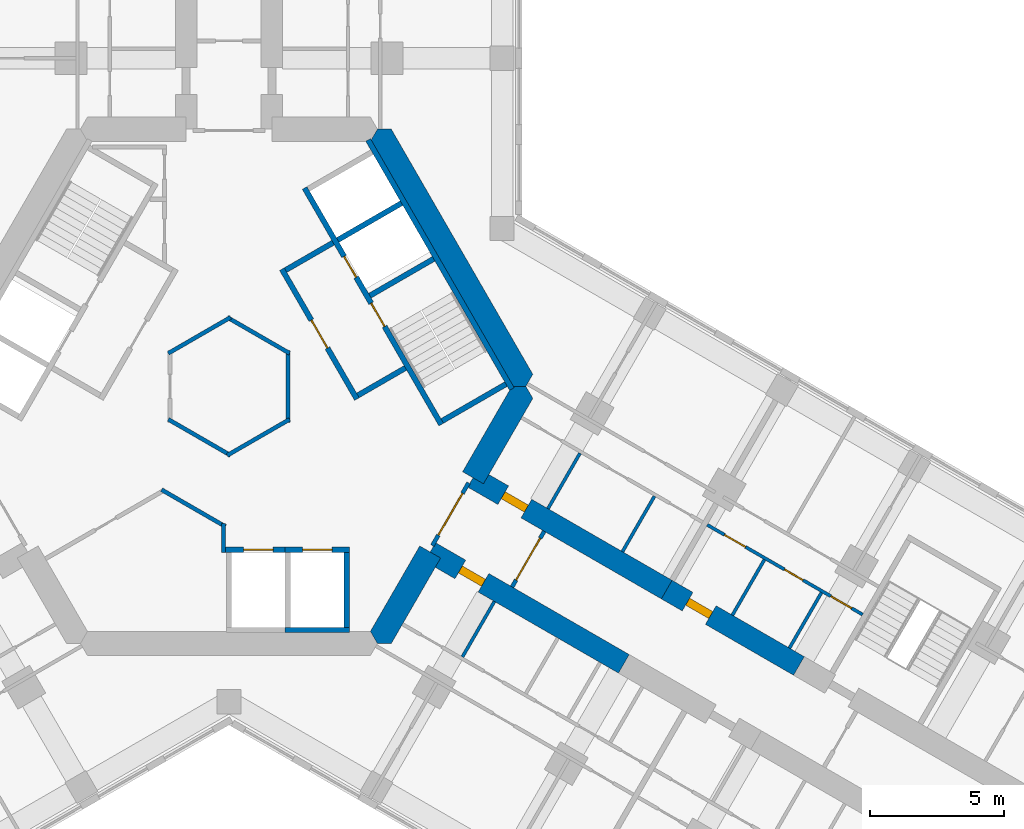
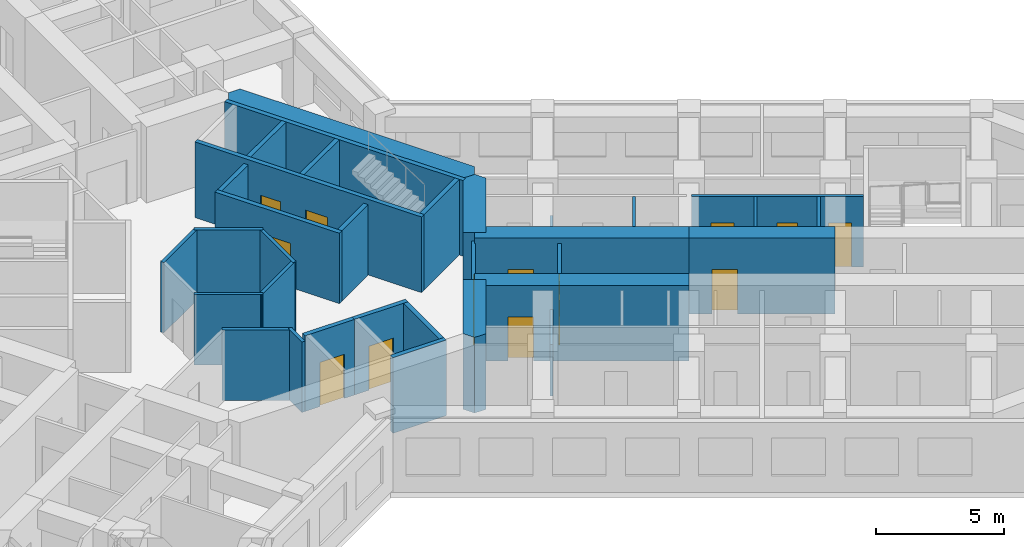
# One storey, part 15 of 20: 33 walls, 13 doors, 13 openings.
"""IFC4 building model written with IfcOpenShell, lengths in metres."""

from ifc_helpers import new_model, si_unit, direction, frame, frame_2d, origin, place, context, subcontext, project, spatial, polyline, rectangle, outline, extrude, material, layer, layer_set, type_object, element, fill, save


model = new_model("IFC4")

# Units and contexts
model_context = context("Model", 3, precision=1e-05, world=origin(), true_north=direction((0.0, 1.0)))
body_context = subcontext(model_context, "Body", "Model", "MODEL_VIEW")
ifc_project = project(units=[si_unit("LENGTHUNIT", "METRE"), si_unit("AREAUNIT", "SQUARE_METRE"), si_unit("VOLUMEUNIT", "CUBIC_METRE"), si_unit("PLANEANGLEUNIT", "RADIAN"), si_unit("MASSUNIT", "GRAM", prefix="KILO")], contexts=[model_context])

# Site, building, storey
site_placement = place(None, origin())
site = spatial("IfcSite", under=ifc_project, at=site_placement, CompositionType="ELEMENT")
building_placement = place(site_placement, origin())
building = spatial("IfcBuilding", under=site, at=building_placement, Name="Kosmar Iwan School Tower", CompositionType="ELEMENT")
storey_placement = place(building_placement, frame((0.0, 0.0, 131.0)))
storey = spatial("IfcBuildingStorey", under=building, at=storey_placement, Name="L32", CompositionType="ELEMENT", Elevation=131.0)

# Walls
ifc_material_1 = material(Name="Gypsum board on steel studs, fire-rated", Category="steel")
ifc_layer_1 = layer(ifc_material_1, 0.14990234375)
ifc_layer_set_1 = layer_set([ifc_layer_1], Name="Core room partition 150")
wall_type_1 = type_object("IfcWallType", Name="Core room partition 150", PredefinedType="PARTITIONING", material=ifc_layer_set_1)
wall_1_placement = place(storey_placement, frame((-2.514892578125, -3.859619140625, 0.0), z_axis=(0.0, 0.0, 1.0), x_axis=(0.866025804792, -0.499999305434, 0.0)))
element("IfcWall", 1, at=wall_1_placement, inside=storey, type_object=wall_type_1, Name="Core room partition L32-CW6", PredefinedType="PARTITIONING", context=body_context, shape_type="SweptSolid", body=[
    extrude(rectangle(XDim=2.748046875, YDim=0.14990234375, at=frame_2d((1.3740234375, 0.0))), origin(), (0.0, 0.0, 1.0), 3.35009765625),
])
wall_2_placement = place(storey_placement, frame((-0.199951171875, -5.12109375, 0.0), z_axis=(0.0, 0.0, 1.0), x_axis=(0.0, -1.0, 0.0)))
element("IfcWall", 2, at=wall_2_placement, inside=storey, type_object=wall_type_1, Name="Core room partition L32-CW7", PredefinedType="PARTITIONING", context=body_context, shape_type="SweptSolid", body=[
    extrude(rectangle(XDim=1.078857421875, YDim=0.14990234375, at=frame_2d((0.53955078125, 0.0))), origin(), (0.0, 0.0, 1.0), 3.35009765625),
])
for number, where, z_axis, x_axis, name in (
    (3, (2.264892578125, -1.232666015625, 0.0), (0.0, 0.0, 1.0), (-0.866011792348, -0.500023574959, 0.0), "Core room partition L32-CW8"),
    (4, (0.06494140625, -2.577880859375, 0.0), (0.0, 0.0, 1.0), (-0.866011792348, 0.500023574959, 0.0), "Core room partition L32-CW9"),
    (5, (-2.264892578125, 1.232666015625, 0.0), (0.0, 0.0, 1.0), (0.866011792348, 0.500023574959, 0.0), "Core room partition L32-CW11"),
    (6, (-0.06494140625, 2.577880859375, 0.0), (0.0, 0.0, 1.0), (0.866011792348, -0.500023574959, 0.0), "Core room partition L32-CW12"),
):
    element("IfcWall", number, at=place(storey_placement, frame(where, z_axis=z_axis, x_axis=x_axis)), inside=storey, type_object=wall_type_1, Name=name, PredefinedType="PARTITIONING", context=body_context, shape_type="SweptSolid", body=[
        extrude(rectangle(XDim=2.690185546875, YDim=0.14990234375, at=frame_2d((1.34521484375, 0.0))), origin(), (0.0, 0.0, 1.0), 3.35009765625),
    ])
wall_3_placement = place(storey_placement, frame((2.199951171875, 1.34521484375, 0.0), z_axis=(0.0, 0.0, 1.0), x_axis=(0.0, -1.0, 0.0)))
element("IfcWall", 7, at=wall_3_placement, inside=storey, type_object=wall_type_1, Name="Core room partition L32-CW13", PredefinedType="PARTITIONING", context=body_context, shape_type="SweptSolid", body=[
    extrude(rectangle(XDim=2.6904296875, YDim=0.14990234375, at=frame_2d((1.34521484375, 0.0))), origin(), (0.0, 0.0, 1.0), 3.35009765625),
])
ifc_material_2 = material(Name="Concrete C50/60", Category="concrete")
ifc_layer_2 = layer(ifc_material_2, 0.89990234375)
ifc_layer_set_2 = layer_set([ifc_layer_2], Name="Core wall 900")
wall_type_2 = type_object("IfcWallType", Name="Core wall 900", PredefinedType="SHEAR", material=ifc_layer_set_2)
wall_4_placement = place(storey_placement, origin())
element("IfcWall", 8, at=wall_4_placement, inside=storey, type_object=wall_type_2, Name="Core wall F030", PredefinedType="SHEAR", context=body_context, shape_type="SweptSolid", body=[
    extrude(outline(polyline([(10.5654296875, 0.0), (11.085205078125, 0.0), (11.344970703125, 0.449951171875), (6.062255859375, 9.60009765625), (5.54248046875, 9.60009765625), (5.28271484375, 9.14990234375), (10.5654296875, 0.0)])), origin(), (0.0, 0.0, 1.0), 3.60009765625),
])
wall_5_placement = place(storey_placement, origin())
element("IfcWall", 9, at=wall_5_placement, inside=storey, type_object=wall_type_2, Name="Core wall F330a", PredefinedType="SHEAR", context=body_context, shape_type="SweptSolid", body=[
    extrude(outline(polyline([(5.54248046875, -9.60009765625), (6.062255859375, -9.60009765625), (7.903564453125, -6.41064453125), (7.1240234375, -5.960693359375), (5.28271484375, -9.14990234375), (5.54248046875, -9.60009765625)])), origin(), (0.0, 0.0, 1.0), 3.60009765625),
])
wall_6_placement = place(storey_placement, origin())
element("IfcWall", 10, at=wall_6_placement, inside=storey, type_object=wall_type_2, Name="Core wall F330b", PredefinedType="SHEAR", context=body_context, shape_type="SweptSolid", body=[
    extrude(outline(polyline([(9.503662109375, -3.639404296875), (11.344970703125, -0.449951171875), (11.085205078125, 0.0), (10.5654296875, 0.0), (8.72412109375, -3.189453125), (9.503662109375, -3.639404296875)])), origin(), (0.0, 0.0, 1.0), 3.60009765625),
])

# Wall, opening, door
ifc_material_3 = material(Name="Concrete C50/60", Category="concrete")
ifc_layer_3 = layer(ifc_material_3, 0.800048828125)
ifc_layer_set_3 = layer_set([ifc_layer_3], Name="Corridor buttress wall 800")
wall_type_3 = type_object("IfcWallType", Name="Corridor buttress wall 800", PredefinedType="SHEAR", material=ifc_layer_set_3)
wall_7_placement = place(storey_placement, frame((9.11376953125, -3.414306640625, 0.0), z_axis=(0.0, 0.0, 1.0), x_axis=(0.866026859388, -0.499997478812, 0.0)))
wall_7 = element("IfcWall", 11, at=wall_7_placement, inside=storey, type_object=wall_type_3, Name="Corridor wall CL", PredefinedType="SHEAR", context=body_context, shape_type="SweptSolid", body=[
    extrude(rectangle(XDim=8.35009765625, YDim=0.800048828125, at=frame_2d((4.175048828125, 0.0))), origin(), (0.0, 0.0, 1.0), 3.60009765625),
])
opening_1_placement = place(wall_7_placement, frame((1.300048828125, 0.0, 0.0)))
opening_1 = element("IfcOpeningElement", 12, at=opening_1_placement, cuts=wall_7, Name="Opening D1", PredefinedType="OPENING", context=body_context, shape_type="SweptSolid", body=[
    extrude(rectangle(XDim=1.0, YDim=2.10009765625, at=frame_2d((0.5, 1.050048828125))), frame((0.0, 0.412109375, 0.0), z_axis=(0.0, -1.0, 0.0), x_axis=(1.0, 0.0, 0.0)), (0.0, 0.0, 1.0), 0.823974609375),
])
ifc_material_4 = material(Name="Timber fire door in steel frame", Category="steel")
door_type_1 = type_object("IfcDoorType", Name="Flat entrance door 1000x2100", OperationType="SINGLE_SWING_LEFT", PredefinedType="DOOR", material=ifc_material_4)
door_1_placement = place(opening_1_placement, origin())
door_1 = element("IfcDoor", 13, at=door_1_placement, inside=storey, type_object=door_type_1, Name="Flat L32-CL1 entrance door", OperationType="SINGLE_SWING_RIGHT", OverallHeight=2.10009765625, OverallWidth=1.0, PredefinedType="DOOR", context=body_context, shape_type="SweptSolid", body=[
    extrude(rectangle(XDim=1.0, YDim=2.10009765625, at=frame_2d((0.5, 1.050048828125))), frame((0.0, 0.14990234375, 0.0), z_axis=(0.0, -1.0, 0.0), x_axis=(1.0, 0.0, 0.0)), (0.0, 0.0, 1.0), 0.300048828125),
])
fill(opening_1, door_1)

wall_8_placement = place(storey_placement, frame((16.34521484375, -7.58935546875, 0.0), z_axis=(0.0, 0.0, 1.0), x_axis=(0.866015111908, -0.50001782563, 0.0)))
wall_8 = element("IfcWall", 14, at=wall_8_placement, inside=storey, type_object=wall_type_3, Name="Corridor wall CL bay 2", PredefinedType="SHEAR", context=body_context, shape_type="SweptSolid", body=[
    extrude(rectangle(XDim=5.699951171875, YDim=0.800048828125, at=frame_2d((2.85009765625, 0.0))), origin(), (0.0, 0.0, 1.0), 3.60009765625),
])
opening_2_placement = place(wall_8_placement, frame((0.89990234375, 0.0, 0.0)))
opening_2 = element("IfcOpeningElement", 15, at=opening_2_placement, cuts=wall_8, Name="Opening D1", PredefinedType="OPENING", context=body_context, shape_type="SweptSolid", body=[
    extrude(rectangle(XDim=1.0, YDim=2.10009765625, at=frame_2d((0.5, 1.050048828125))), frame((0.0, 0.412109375, 0.0), z_axis=(0.0, -1.0, 0.0), x_axis=(1.0, 0.0, 0.0)), (0.0, 0.0, 1.0), 0.823974609375),
])
door_2_placement = place(opening_2_placement, origin())
door_2 = element("IfcDoor", 16, at=door_2_placement, inside=storey, type_object=door_type_1, Name="Flat L32-CL2 entrance door", OperationType="SINGLE_SWING_RIGHT", OverallHeight=2.10009765625, OverallWidth=1.0, PredefinedType="DOOR", context=body_context, shape_type="SweptSolid", body=[
    extrude(rectangle(XDim=1.0, YDim=2.10009765625, at=frame_2d((0.5, 1.050048828125))), frame((0.0, 0.14990234375, 0.0), z_axis=(0.0, -1.0, 0.0), x_axis=(1.0, 0.0, 0.0)), (0.0, 0.0, 1.0), 0.300048828125),
])
fill(opening_2, door_2)

wall_9_placement = place(storey_placement, frame((7.513916015625, -6.185546875, 0.0), z_axis=(0.0, 0.0, 1.0), x_axis=(0.866019549707, -0.500010139422, 0.0)))
wall_9 = element("IfcWall", 17, at=wall_9_placement, inside=storey, type_object=wall_type_3, Name="Corridor wall CR", PredefinedType="SHEAR", context=body_context, shape_type="SweptSolid", body=[
    extrude(rectangle(XDim=8.349853515625, YDim=0.800048828125, at=frame_2d((4.1748046875, 0.0))), origin(), (0.0, 0.0, 1.0), 3.60009765625),
])
opening_3_placement = place(wall_9_placement, frame((1.300048828125, 0.0, 0.0)))
opening_3 = element("IfcOpeningElement", 18, at=opening_3_placement, cuts=wall_9, Name="Opening D1", PredefinedType="OPENING", context=body_context, shape_type="SweptSolid", body=[
    extrude(rectangle(XDim=1.0, YDim=2.10009765625, at=frame_2d((0.5, 1.050048828125))), frame((0.0, 0.412109375, 0.0), z_axis=(0.0, -1.0, 0.0), x_axis=(1.0, 0.0, 0.0)), (0.0, 0.0, 1.0), 0.823974609375),
])
door_3_placement = place(opening_3_placement, origin())
door_3 = element("IfcDoor", 19, at=door_3_placement, inside=storey, type_object=door_type_1, Name="Flat L32-CR1 entrance door", OperationType="SINGLE_SWING_RIGHT", OverallHeight=2.10009765625, OverallWidth=1.0, PredefinedType="DOOR", context=body_context, shape_type="SweptSolid", body=[
    extrude(rectangle(XDim=1.0, YDim=2.10009765625, at=frame_2d((0.5, 1.050048828125))), frame((0.0, 0.14990234375, 0.0), z_axis=(0.0, -1.0, 0.0), x_axis=(1.0, 0.0, 0.0)), (0.0, 0.0, 1.0), 0.300048828125),
])
fill(opening_3, door_3)

ifc_material_5 = material(Name="Gypsum board on steel studs, fire-rated", Category="steel")
ifc_layer_4 = layer(ifc_material_5, 0.14990234375)
ifc_layer_set_4 = layer_set([ifc_layer_4], Name="Corridor end wall 150")
wall_type_4 = type_object("IfcWallType", Name="Corridor end wall 150", PredefinedType="PARTITIONING", material=ifc_layer_set_4)
wall_10_placement = place(storey_placement, frame((10.57177734375, -7.4892578125, 0.0), z_axis=(0.0, 0.0, 1.0), x_axis=(0.499957262057, 0.866050077142, 0.0)))
wall_10 = element("IfcWall", 20, at=wall_10_placement, inside=storey, type_object=wall_type_4, Name="Partition L32-C-HW", PredefinedType="PARTITIONING", context=body_context, shape_type="SweptSolid", body=[
    extrude(rectangle(XDim=2.400146484375, YDim=0.14990234375, at=frame_2d((1.2001953125, 0.0))), origin(), (0.0, 0.0, 1.0), 3.35009765625),
])
opening_4_placement = place(wall_10_placement, frame((0.300048828125, 0.0, 0.0)))
opening_4 = element("IfcOpeningElement", 21, at=opening_4_placement, cuts=wall_10, Name="Opening D9", PredefinedType="OPENING", context=body_context, shape_type="SweptSolid", body=[
    extrude(rectangle(XDim=1.800048828125, YDim=2.10009765625, at=frame_2d((0.89990234375, 1.050048828125))), frame((0.0, 0.0869140625, 0.0), z_axis=(0.0, -1.0, 0.0), x_axis=(1.0, 0.0, 0.0)), (0.0, 0.0, 1.0), 0.173828125),
])
ifc_material_6 = material(Name="Steel framed glazed smoke door", Category="steel")
door_type_2 = type_object("IfcDoorType", Name="Corridor smoke door pair 1800x2100", OperationType="DOUBLE_DOOR_DOUBLE_SWING", PredefinedType="DOOR", material=ifc_material_6)
door_4_placement = place(opening_4_placement, origin())
door_4 = element("IfcDoor", 22, at=door_4_placement, inside=storey, type_object=door_type_2, Name="Hashti vestibule smoke doors L32-C", OperationType="DOUBLE_DOOR_DOUBLE_SWING", OverallHeight=2.10009765625, OverallWidth=1.800048828125, PredefinedType="DOOR", context=body_context, shape_type="SweptSolid", body=[
    extrude(rectangle(XDim=1.800048828125, YDim=2.10009765625, at=frame_2d((0.89990234375, 1.050048828125))), frame((0.0, 0.02490234375, 0.0), z_axis=(0.0, -1.0, 0.0), x_axis=(1.0, 0.0, 0.0)), (0.0, 0.0, 1.0), 0.050048828125),
])
fill(opening_4, door_4)

ifc_material_7 = material(Name="Steel framed glazed screen", Category="steel")
ifc_layer_5 = layer(ifc_material_7, 0.14990234375)
ifc_layer_set_5 = layer_set([ifc_layer_5], Name="Corridor screen wall 150")
wall_type_5 = type_object("IfcWallType", Name="Corridor screen wall 150", PredefinedType="PARTITIONING", material=ifc_layer_set_5)
wall_11_placement = place(storey_placement, frame((7.595458984375, -5.944091796875, 0.0), z_axis=(0.0, 0.0, 1.0), x_axis=(0.500048589285, 0.86599734893, 0.0)))
wall_11 = element("IfcWall", 23, at=wall_11_placement, inside=storey, type_object=wall_type_5, Name="Corridor screen C L32", PredefinedType="PARTITIONING", context=body_context, shape_type="SweptSolid", body=[
    extrude(rectangle(XDim=2.699951171875, YDim=0.14990234375, at=frame_2d((1.35009765625, 0.0))), origin(), (0.0, 0.0, 1.0), 3.35009765625),
])
opening_5_placement = place(wall_11_placement, frame((0.449951171875, 0.0, 0.0)))
opening_5 = element("IfcOpeningElement", 24, at=opening_5_placement, cuts=wall_11, Name="Opening D9", PredefinedType="OPENING", context=body_context, shape_type="SweptSolid", body=[
    extrude(rectangle(XDim=1.800048828125, YDim=2.10009765625, at=frame_2d((0.89990234375, 1.050048828125))), frame((0.0, 0.0869140625, 0.0), z_axis=(0.0, -1.0, 0.0), x_axis=(1.0, 0.0, 0.0)), (0.0, 0.0, 1.0), 0.173828125),
])
door_5_placement = place(opening_5_placement, origin())
door_5 = element("IfcDoor", 25, at=door_5_placement, inside=storey, type_object=door_type_2, Name="Corridor doors C L32", OperationType="DOUBLE_DOOR_DOUBLE_SWING", OverallHeight=2.10009765625, OverallWidth=1.800048828125, PredefinedType="DOOR", context=body_context, shape_type="SweptSolid", body=[
    extrude(rectangle(XDim=1.800048828125, YDim=2.10009765625, at=frame_2d((0.89990234375, 1.050048828125))), frame((0.0, 0.02490234375, 0.0), z_axis=(0.0, -1.0, 0.0), x_axis=(1.0, 0.0, 0.0)), (0.0, 0.0, 1.0), 0.050048828125),
])
fill(opening_5, door_5)

# Walls
ifc_material_8 = material(Name="Gypsum board on steel studs", Category="steel")
ifc_layer_6 = layer(ifc_material_8, 0.1201171875)
ifc_layer_set_6 = layer_set([ifc_layer_6], Name="Dwelling partition 120")
wall_type_6 = type_object("IfcWallType", Name="Dwelling partition 120", PredefinedType="PARTITIONING", material=ifc_layer_set_6)
wall_12_placement = place(storey_placement, frame((11.911865234375, -4.56787109375, 0.0), z_axis=(0.0, 0.0, 1.0), x_axis=(0.500017192868, 0.86601547725, 0.0)))
element("IfcWall", 26, at=wall_12_placement, inside=storey, type_object=wall_type_6, Name="Partition L32-CL1-Y1", PredefinedType="PARTITIONING", context=body_context, shape_type="SweptSolid", body=[
    extrude(rectangle(XDim=2.39013671875, YDim=0.1201171875, at=frame_2d((1.195068359375, 0.0))), origin(), (0.0, 0.0, 1.0), 2.449951171875),
])
wall_13_placement = place(storey_placement, frame((14.69189453125, -6.1728515625, 0.0), z_axis=(0.0, 0.0, 1.0), x_axis=(0.500017192868, 0.86601547725, 0.0)))
element("IfcWall", 27, at=wall_13_placement, inside=storey, type_object=wall_type_6, Name="Partition L32-CL1-Y2", PredefinedType="PARTITIONING", context=body_context, shape_type="SweptSolid", body=[
    extrude(rectangle(XDim=2.39013671875, YDim=0.1201171875, at=frame_2d((1.195068359375, 0.0))), origin(), (0.0, 0.0, 1.0), 3.35009765625),
])

# Wall, openings, doors
wall_14_placement = place(storey_placement, frame((17.856689453125, -5.171142578125, 0.0), z_axis=(0.0, 0.0, 1.0), x_axis=(0.866023571113, -0.500003174267, 0.0)))
wall_14 = element("IfcWall", 28, at=wall_14_placement, inside=storey, type_object=wall_type_6, Name="Partition L32-CL2-W1", PredefinedType="PARTITIONING", context=body_context, shape_type="SweptSolid", body=[
    extrude(rectangle(XDim=6.7001953125, YDim=0.1201171875, at=frame_2d((3.35009765625, 0.0))), origin(), (0.0, 0.0, 1.0), 3.35009765625),
])
opening_6_placement = place(wall_14_placement, frame((0.75, 0.0, 0.0)))
opening_6 = element("IfcOpeningElement", 29, at=opening_6_placement, cuts=wall_14, Name="Opening D2", PredefinedType="OPENING", context=body_context, shape_type="SweptSolid", body=[
    extrude(rectangle(XDim=0.89990234375, YDim=2.10009765625, at=frame_2d((0.449951171875, 1.050048828125))), frame((0.0, 0.072021484375, 0.0), z_axis=(0.0, -1.0, 0.0), x_axis=(1.0, 0.0, 0.0)), (0.0, 0.0, 1.0), 0.14404296875),
])
opening_7_placement = place(wall_14_placement, frame((3.330078125, 0.0, 0.0)))
opening_7 = element("IfcOpeningElement", 30, at=opening_7_placement, cuts=wall_14, Name="Opening D3", PredefinedType="OPENING", context=body_context, shape_type="SweptSolid", body=[
    extrude(rectangle(XDim=0.800048828125, YDim=2.10009765625, at=frame_2d((0.39990234375, 1.050048828125))), frame((0.0, 0.072021484375, 0.0), z_axis=(0.0, -1.0, 0.0), x_axis=(1.0, 0.0, 0.0)), (0.0, 0.0, 1.0), 0.14404296875),
])
opening_8_placement = place(wall_14_placement, frame((5.330078125, 0.0, 0.0)))
opening_8 = element("IfcOpeningElement", 31, at=opening_8_placement, cuts=wall_14, Name="Opening D2", PredefinedType="OPENING", context=body_context, shape_type="SweptSolid", body=[
    extrude(rectangle(XDim=0.89990234375, YDim=2.10009765625, at=frame_2d((0.449951171875, 1.050048828125))), frame((0.0, 0.072021484375, 0.0), z_axis=(0.0, -1.0, 0.0), x_axis=(1.0, 0.0, 0.0)), (0.0, 0.0, 1.0), 0.14404296875),
])
ifc_material_9 = material(Name="Timber door in timber frame", Category="wood")
door_type_3 = type_object("IfcDoorType", Name="Internal door 900x2100", OperationType="SINGLE_SWING_LEFT", PredefinedType="DOOR", material=ifc_material_9)
door_6_placement = place(opening_6_placement, origin())
door_6 = element("IfcDoor", 32, at=door_6_placement, inside=storey, type_object=door_type_3, Name="Entrance hall door L32-CL2-S1", OperationType="SINGLE_SWING_LEFT", OverallHeight=2.10009765625, OverallWidth=0.89990234375, PredefinedType="DOOR", context=body_context, shape_type="SweptSolid", body=[
    extrude(rectangle(XDim=0.89990234375, YDim=2.10009765625, at=frame_2d((0.449951171875, 1.050048828125))), frame((0.0, 0.02490234375, 0.0), z_axis=(0.0, -1.0, 0.0), x_axis=(1.0, 0.0, 0.0)), (0.0, 0.0, 1.0), 0.050048828125),
])
fill(opening_6, door_6)
door_7_placement = place(opening_8_placement, frame((0.89990234375, 0.0, 0.0), z_axis=(0.0, 0.0, 1.0), x_axis=(-1.0, 0.0, 0.0)))
door_7 = element("IfcDoor", 33, at=door_7_placement, inside=storey, type_object=door_type_3, Name="Pantry door L32-CL2-S3", OperationType="SINGLE_SWING_LEFT", OverallHeight=2.10009765625, OverallWidth=0.89990234375, PredefinedType="DOOR", context=body_context, shape_type="SweptSolid", body=[
    extrude(rectangle(XDim=0.89990234375, YDim=2.10009765625, at=frame_2d((0.449951171875, 1.050048828125))), frame((0.0, 0.02490234375, 0.0), z_axis=(0.0, -1.0, 0.0), x_axis=(1.0, 0.0, 0.0)), (0.0, 0.0, 1.0), 0.050048828125),
])
fill(opening_8, door_7)
ifc_material_10 = material(Name="Timber door in timber frame", Category="wood")
door_type_4 = type_object("IfcDoorType", Name="Sanitary room door 800x2100", OperationType="SINGLE_SWING_LEFT", PredefinedType="DOOR", material=ifc_material_10)
door_8_placement = place(opening_7_placement, origin())
door_8 = element("IfcDoor", 34, at=door_8_placement, inside=storey, type_object=door_type_4, Name="Bathroom door L32-CL2-S2", OperationType="SINGLE_SWING_RIGHT", OverallHeight=2.10009765625, OverallWidth=0.800048828125, PredefinedType="DOOR", context=body_context, shape_type="SweptSolid", body=[
    extrude(rectangle(XDim=0.800048828125, YDim=2.10009765625, at=frame_2d((0.39990234375, 1.050048828125))), frame((0.0, 0.02490234375, 0.0), z_axis=(0.0, -1.0, 0.0), x_axis=(1.0, 0.0, 0.0)), (0.0, 0.0, 1.0), 0.050048828125),
])
fill(opening_7, door_8)

# Walls
for number, where, z_axis, x_axis, name in (
    (35, (18.796875, -8.54296875, 0.0), (0.0, 0.0, 1.0), (0.500017192868, 0.86601547725, 0.0), "Partition L32-CL2-Y1"),
    (36, (20.92724609375, -9.77294921875, 0.0), (0.0, 0.0, 1.0), (0.500017192868, 0.86601547725, 0.0), "Partition L32-CL2-Y2"),
):
    element("IfcWall", number, at=place(storey_placement, frame(where, z_axis=z_axis, x_axis=x_axis)), inside=storey, type_object=wall_type_6, Name=name, PredefinedType="PARTITIONING", context=body_context, shape_type="SweptSolid", body=[
        extrude(rectangle(XDim=2.39013671875, YDim=0.1201171875, at=frame_2d((1.195068359375, 0.0))), origin(), (0.0, 0.0, 1.0), 3.35009765625),
    ])
wall_15_placement = place(storey_placement, frame((9.911865234375, -8.031982421875, 0.0), z_axis=(0.0, 0.0, 1.0), x_axis=(-0.500017192868, -0.86601547725, 0.0)))
element("IfcWall", 37, at=wall_15_placement, inside=storey, type_object=wall_type_6, Name="Partition L32-CR1-Y1", PredefinedType="PARTITIONING", context=body_context, shape_type="SweptSolid", body=[
    extrude(rectangle(XDim=2.39013671875, YDim=0.1201171875, at=frame_2d((1.195068359375, 0.0))), origin(), (0.0, 0.0, 1.0), 2.449951171875),
])

# Wall, opening, door
ifc_material_11 = material(Name="Concrete block masonry", Category="masonry")
ifc_layer_7 = layer(ifc_material_11, 0.199951171875)
ifc_layer_set_7 = layer_set([ifc_layer_7], Name="Fire lobby wall 200")
wall_type_7 = type_object("IfcWallType", Name="Fire lobby wall 200", PredefinedType="PARTITIONING", material=ifc_layer_set_7)
wall_16_placement = place(storey_placement, frame((4.777587890625, -0.474853515625, 0.0), z_axis=(0.0, 0.0, 1.0), x_axis=(-0.500016814911, 0.866015695474, 0.0)))
wall_16 = element("IfcWall", 38, at=wall_16_placement, inside=storey, type_object=wall_type_7, Name="Firefighting lobby wall ST1", PredefinedType="PARTITIONING", context=body_context, shape_type="SweptSolid", body=[
    extrude(rectangle(XDim=5.599853515625, YDim=0.199951171875, at=frame_2d((2.7998046875, 0.0))), origin(), (0.0, 0.0, 1.0), 3.35009765625),
])
opening_9_placement = place(wall_16_placement, frame((2.199951171875, 0.0, 0.0)))
opening_9 = element("IfcOpeningElement", 39, at=opening_9_placement, cuts=wall_16, Name="Opening D7", PredefinedType="OPENING", context=body_context, shape_type="SweptSolid", body=[
    extrude(rectangle(XDim=1.199951171875, YDim=2.10009765625, at=frame_2d((0.60009765625, 1.050048828125))), frame((0.0, 0.112060546875, 0.0), z_axis=(0.0, -1.0, 0.0), x_axis=(1.0, 0.0, 0.0)), (0.0, 0.0, 1.0), 0.223876953125),
])
ifc_material_12 = material(Name="Steel fire door", Category="steel")
door_type_5 = type_object("IfcDoorType", Name="Fire lobby door 1200x2100", OperationType="SINGLE_SWING_LEFT", PredefinedType="DOOR", material=ifc_material_12)
door_9_placement = place(opening_9_placement, origin())
door_9 = element("IfcDoor", 40, at=door_9_placement, inside=storey, type_object=door_type_5, Name="Firefighting lobby door ST1 L32", OperationType="SINGLE_SWING_LEFT", OverallHeight=2.10009765625, OverallWidth=1.199951171875, PredefinedType="DOOR", context=body_context, shape_type="SweptSolid", body=[
    extrude(rectangle(XDim=1.199951171875, YDim=2.10009765625, at=frame_2d((0.60009765625, 1.050048828125))), frame((0.0, 0.02490234375, 0.0), z_axis=(0.0, -1.0, 0.0), x_axis=(1.0, 0.0, 0.0)), (0.0, 0.0, 1.0), 0.050048828125),
])
fill(opening_9, door_9)

# Walls
wall_17_placement = place(storey_placement, frame((4.814208984375, -0.33837890625, 0.0), z_axis=(0.0, 0.0, 1.0), x_axis=(0.865969381856, 0.500097020274, 0.0)))
element("IfcWall", 41, at=wall_17_placement, inside=storey, type_object=wall_type_7, Name="Firefighting lobby wall ST1", PredefinedType="PARTITIONING", context=body_context, shape_type="SweptSolid", body=[
    extrude(rectangle(XDim=2.0498046875, YDim=0.199951171875, at=frame_2d((1.02490234375, 0.0))), origin(), (0.0, 0.0, 1.0), 3.35009765625),
])
wall_18_placement = place(storey_placement, frame((2.114013671875, 4.33837890625, 0.0), z_axis=(0.0, 0.0, 1.0), x_axis=(0.866050731258, 0.499956128963, 0.0)))
element("IfcWall", 42, at=wall_18_placement, inside=storey, type_object=wall_type_7, Name="Firefighting lobby wall ST1", PredefinedType="PARTITIONING", context=body_context, shape_type="SweptSolid", body=[
    extrude(rectangle(XDim=2.050048828125, YDim=0.199951171875, at=frame_2d((1.02490234375, 0.0))), origin(), (0.0, 0.0, 1.0), 3.35009765625),
])

# Wall, openings, doors
ifc_material_13 = material(Name="Concrete C50/60", Category="concrete")
ifc_layer_8 = layer(ifc_material_13, 0.199951171875)
ifc_layer_set_8 = layer_set([ifc_layer_8], Name="Lift shaft wall 200")
wall_type_8 = type_object("IfcWallType", Name="Lift shaft wall 200", PredefinedType="SHEAR", material=ifc_layer_set_8)
wall_19_placement = place(storey_placement, frame((7.926025390625, -1.42822265625, 0.0), z_axis=(0.0, 0.0, 1.0), x_axis=(-0.499998023675, 0.866026544813, 0.0)))
wall_19 = element("IfcWall", 43, at=wall_19_placement, inside=storey, type_object=wall_type_8, Name="Lift and stair front wall AC", PredefinedType="SHEAR", context=body_context, shape_type="SweptSolid", body=[
    extrude(rectangle(XDim=10.19970703125, YDim=0.199951171875, at=frame_2d((5.099853515625, 0.0))), origin(), (0.0, 0.0, 1.0), 3.60009765625),
])
opening_10_placement = place(wall_19_placement, frame((6.35009765625, 0.0, 0.0)))
opening_10 = element("IfcOpeningElement", 44, at=opening_10_placement, cuts=wall_19, Name="Opening LD2", PredefinedType="OPENING", context=body_context, shape_type="SweptSolid", body=[
    extrude(rectangle(XDim=0.89990234375, YDim=2.10009765625, at=frame_2d((0.449951171875, 1.050048828125))), frame((0.0, 0.112060546875, 0.0), z_axis=(0.0, -1.0, 0.0), x_axis=(1.0, 0.0, 0.0)), (0.0, 0.0, 1.0), 0.223876953125),
])
opening_11_placement = place(wall_19_placement, frame((4.22998046875, 0.0, 0.0)))
opening_11 = element("IfcOpeningElement", 45, at=opening_11_placement, cuts=wall_19, Name="Opening D6", PredefinedType="OPENING", context=body_context, shape_type="SweptSolid", body=[
    extrude(rectangle(XDim=1.0, YDim=2.10009765625, at=frame_2d((0.5, 1.050048828125))), frame((0.0, 0.112060546875, 0.0), z_axis=(0.0, -1.0, 0.0), x_axis=(1.0, 0.0, 0.0)), (0.0, 0.0, 1.0), 0.223876953125),
])
ifc_material_14 = material(Name="Stainless steel sliding lift door", Category="steel")
door_type_6 = type_object("IfcDoorType", Name="Firefighting lift landing door 900x2100", OperationType="SLIDING_TO_LEFT", PredefinedType="DOOR", material=ifc_material_14)
door_10_placement = place(opening_10_placement, origin())
door_10 = element("IfcDoor", 46, at=door_10_placement, inside=storey, type_object=door_type_6, Name="Lift FF1 landing door L32", OperationType="SLIDING_TO_LEFT", OverallHeight=2.10009765625, OverallWidth=0.89990234375, PredefinedType="DOOR", context=body_context, shape_type="SweptSolid", body=[
    extrude(rectangle(XDim=0.89990234375, YDim=2.10009765625, at=frame_2d((0.449951171875, 1.050048828125))), frame((0.0, 0.02490234375, 0.0), z_axis=(0.0, -1.0, 0.0), x_axis=(1.0, 0.0, 0.0)), (0.0, 0.0, 1.0), 0.050048828125),
])
fill(opening_10, door_10)
ifc_material_15 = material(Name="Steel fire door", Category="steel")
door_type_7 = type_object("IfcDoorType", Name="Stair door 1000x2100", OperationType="SINGLE_SWING_LEFT", PredefinedType="DOOR", material=ifc_material_15)
door_11_placement = place(opening_11_placement, origin())
door_11 = element("IfcDoor", 47, at=door_11_placement, inside=storey, type_object=door_type_7, Name="Stair ST1 door L32", OperationType="SINGLE_SWING_LEFT", OverallHeight=2.10009765625, OverallWidth=1.0, PredefinedType="DOOR", context=body_context, shape_type="SweptSolid", body=[
    extrude(rectangle(XDim=1.0, YDim=2.10009765625, at=frame_2d((0.5, 1.050048828125))), frame((0.0, 0.02490234375, 0.0), z_axis=(0.0, -1.0, 0.0), x_axis=(1.0, 0.0, 0.0)), (0.0, 0.0, 1.0), 0.050048828125),
])
fill(opening_11, door_11)

# Walls
wall_20_placement = place(storey_placement, frame((10.5654296875, -0.10009765625, 0.0), z_axis=(0.0, 0.0, 1.0), x_axis=(-0.499999935134, 0.866025441235, 0.0)))
element("IfcWall", 48, at=wall_20_placement, inside=storey, type_object=wall_type_8, Name="Lift and stair back wall AC", PredefinedType="SHEAR", context=body_context, shape_type="SweptSolid", body=[
    extrude(rectangle(XDim=10.73876953125, YDim=0.199951171875, at=frame_2d((5.369384765625, 0.0))), origin(), (0.0, 0.0, 1.0), 3.60009765625),
])
wall_21_placement = place(storey_placement, frame((4.062744140625, 5.46337890625, 0.0), z_axis=(0.0, 0.0, 1.0), x_axis=(0.866027397988, 0.499996545922, 0.0)))
element("IfcWall", 49, at=wall_21_placement, inside=storey, type_object=wall_type_8, Name="Lift shaft wall AC 1", PredefinedType="SHEAR", context=body_context, shape_type="SweptSolid", body=[
    extrude(rectangle(XDim=2.75, YDim=0.199951171875, at=frame_2d((1.375, 0.0))), origin(), (0.0, 0.0, 1.0), 3.60009765625),
])

# Wall, opening, door
wall_22_placement = place(storey_placement, frame((-0.125, -6.10009765625, 0.0), z_axis=(0.0, 0.0, 1.0), x_axis=(1.0, 0.0, 0.0)))
wall_22 = element("IfcWall", 50, at=wall_22_placement, inside=storey, type_object=wall_type_8, Name="Lift and stair front wall BC", PredefinedType="SHEAR", context=body_context, shape_type="SweptSolid", body=[
    extrude(rectangle(XDim=2.22509765625, YDim=0.199951171875, at=frame_2d((1.112548828125, 0.0))), origin(), (0.0, 0.0, 1.0), 3.60009765625),
])
opening_12_placement = place(wall_22_placement, frame((0.675048828125, 0.0, 0.0)))
opening_12 = element("IfcOpeningElement", 51, at=opening_12_placement, cuts=wall_22, Name="Opening LD1", PredefinedType="OPENING", context=body_context, shape_type="SweptSolid", body=[
    extrude(rectangle(XDim=1.10009765625, YDim=2.10009765625, at=frame_2d((0.550048828125, 1.050048828125))), frame((0.0, 0.112060546875, 0.0), z_axis=(0.0, -1.0, 0.0), x_axis=(1.0, 0.0, 0.0)), (0.0, 0.0, 1.0), 0.223876953125),
])
ifc_material_16 = material(Name="Stainless steel sliding lift door", Category="steel")
door_type_8 = type_object("IfcDoorType", Name="Lift landing door 1100x2100", OperationType="SLIDING_TO_LEFT", PredefinedType="DOOR", material=ifc_material_16)
door_12_placement = place(opening_12_placement, origin())
door_12 = element("IfcDoor", 52, at=door_12_placement, inside=storey, type_object=door_type_8, Name="Lift PL3 landing door L32", OperationType="SLIDING_TO_LEFT", OverallHeight=2.10009765625, OverallWidth=1.10009765625, PredefinedType="DOOR", context=body_context, shape_type="SweptSolid", body=[
    extrude(rectangle(XDim=1.10009765625, YDim=2.10009765625, at=frame_2d((0.550048828125, 1.050048828125))), frame((0.0, 0.02490234375, 0.0), z_axis=(0.0, -1.0, 0.0), x_axis=(1.0, 0.0, 0.0)), (0.0, 0.0, 1.0), 0.050048828125),
])
fill(opening_12, door_12)

wall_23_placement = place(storey_placement, frame((2.10009765625, -6.10009765625, 0.0), z_axis=(0.0, 0.0, 1.0), x_axis=(1.0, 0.0, 0.0)))
wall_23 = element("IfcWall", 53, at=wall_23_placement, inside=storey, type_object=wall_type_8, Name="Lift and stair front wall BC", PredefinedType="SHEAR", context=body_context, shape_type="SweptSolid", body=[
    extrude(rectangle(XDim=2.39990234375, YDim=0.199951171875, at=frame_2d((1.199951171875, 0.0))), origin(), (0.0, 0.0, 1.0), 3.60009765625),
])
opening_13_placement = place(wall_23_placement, frame((0.64990234375, 0.0, 0.0)))
opening_13 = element("IfcOpeningElement", 54, at=opening_13_placement, cuts=wall_23, Name="Opening LD1", PredefinedType="OPENING", context=body_context, shape_type="SweptSolid", body=[
    extrude(rectangle(XDim=1.10009765625, YDim=2.10009765625, at=frame_2d((0.550048828125, 1.050048828125))), frame((0.0, 0.112060546875, 0.0), z_axis=(0.0, -1.0, 0.0), x_axis=(1.0, 0.0, 0.0)), (0.0, 0.0, 1.0), 0.223876953125),
])
door_13_placement = place(opening_13_placement, origin())
door_13 = element("IfcDoor", 55, at=door_13_placement, inside=storey, type_object=door_type_8, Name="Lift PL4 landing door L32", OperationType="SLIDING_TO_LEFT", OverallHeight=2.10009765625, OverallWidth=1.10009765625, PredefinedType="DOOR", context=body_context, shape_type="SweptSolid", body=[
    extrude(rectangle(XDim=1.10009765625, YDim=2.10009765625, at=frame_2d((0.550048828125, 1.050048828125))), frame((0.0, 0.02490234375, 0.0), z_axis=(0.0, -1.0, 0.0), x_axis=(1.0, 0.0, 0.0)), (0.0, 0.0, 1.0), 0.050048828125),
])
fill(opening_13, door_13)

# Walls
wall_24_placement = place(storey_placement, frame((2.10009765625, -9.10009765625, 0.0), z_axis=(0.0, 0.0, 1.0), x_axis=(1.0, 0.0, 0.0)))
element("IfcWall", 56, at=wall_24_placement, inside=storey, type_object=wall_type_8, Name="Lift and stair back wall BC", PredefinedType="SHEAR", context=body_context, shape_type="SweptSolid", body=[
    extrude(rectangle(XDim=2.39990234375, YDim=0.199951171875, at=frame_2d((1.199951171875, 0.0))), origin(), (0.0, 0.0, 1.0), 3.60009765625),
])
wall_25_placement = place(storey_placement, frame((4.39990234375, -6.199951171875, 0.0), z_axis=(0.0, 0.0, 1.0), x_axis=(0.0, -1.0, 0.0)))
element("IfcWall", 57, at=wall_25_placement, inside=storey, type_object=wall_type_8, Name="Lift shaft wall BC 2", PredefinedType="SHEAR", context=body_context, shape_type="SweptSolid", body=[
    extrude(rectangle(XDim=2.800048828125, YDim=0.199951171875, at=frame_2d((1.39990234375, 0.0))), origin(), (0.0, 0.0, 1.0), 3.60009765625),
])
ifc_material_17 = material(Name="Concrete C50/60", Category="concrete")
ifc_layer_9 = layer(ifc_material_17, 0.199951171875)
ifc_layer_set_9 = layer_set([ifc_layer_9], Name="Stair enclosure wall 200")
wall_type_9 = type_object("IfcWallType", Name="Stair enclosure wall 200", PredefinedType="SHEAR", material=ifc_layer_set_9)
for number, where, z_axis, x_axis, name in (
    (58, (7.962646484375, -1.291748046875, 0.0), (0.0, 0.0, 1.0), (0.866027397988, 0.499996545922, 0.0), "Stair ST1 wall"),
    (59, (5.2626953125, 3.384765625, 0.0), (0.0, 0.0, 1.0), (0.866027397988, 0.499996545922, 0.0), "Stair ST1 wall"),
):
    element("IfcWall", number, at=place(storey_placement, frame(where, z_axis=z_axis, x_axis=x_axis)), inside=storey, type_object=wall_type_9, Name=name, PredefinedType="SHEAR", context=body_context, shape_type="SweptSolid", body=[
        extrude(rectangle(XDim=2.75, YDim=0.199951171875, at=frame_2d((1.375, 0.0))), origin(), (0.0, 0.0, 1.0), 3.60009765625),
    ])

save(model, "model.ifc")
